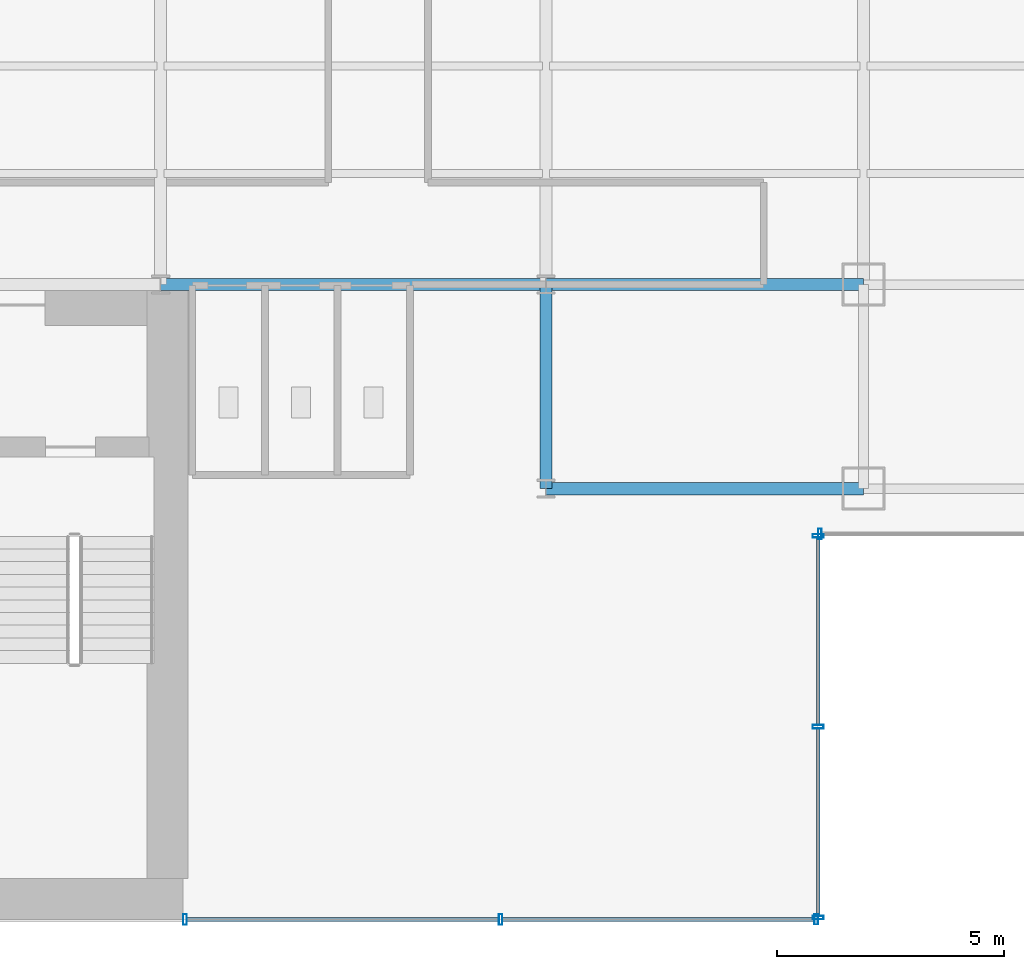
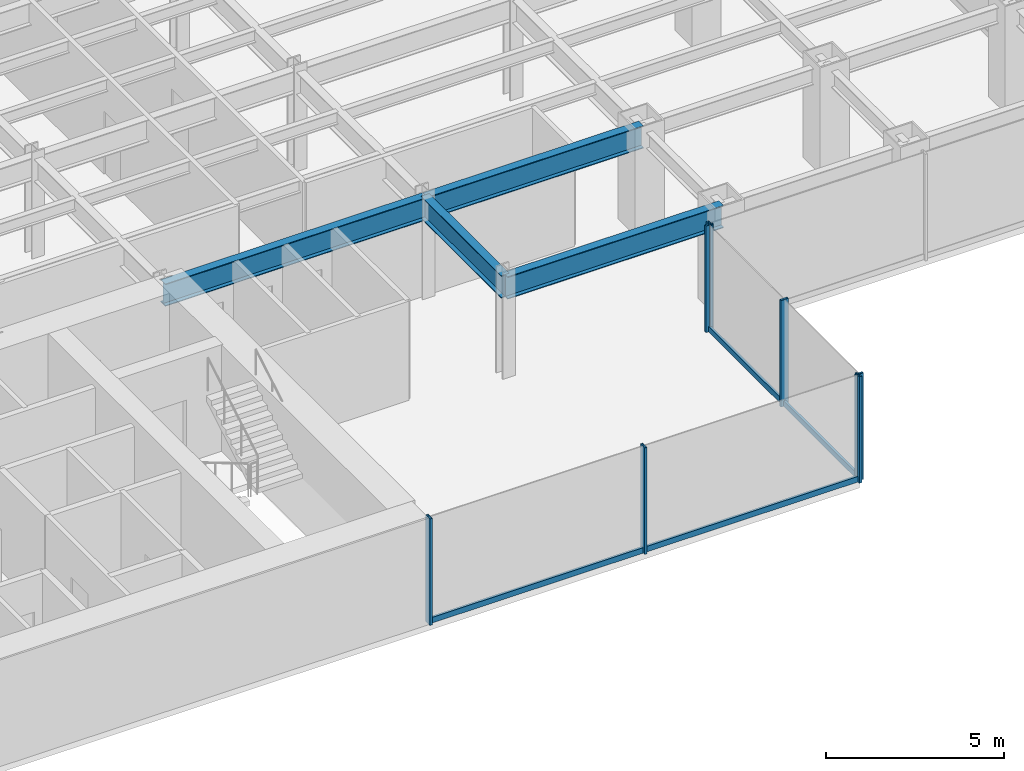
# One storey, part 6 of 22: 11 members, 4 beams, 3 elements without a shape of their own.
"""IFC4 building model written with IfcOpenShell, lengths in metres."""

from ifc_helpers import new_model, si_unit, derived_unit, direction, frame, origin, origin_2d, place, context, subcontext, project, spatial, hollow_rectangle, i_section, extrude, source, transform, mapped, material, material_profile, profile_set, type_object, element, aggregate, save


model = new_model("IFC4")

# Units and contexts
model_context = context("Model", 3, precision=1e-05, world=origin(), true_north=direction((0.0, 1.0)))
body_context = subcontext(model_context, "Body", "Model", "MODEL_VIEW")
ifc_project = project(units=[si_unit("LENGTHUNIT", "METRE"), si_unit("AREAUNIT", "SQUARE_METRE"), si_unit("VOLUMEUNIT", "CUBIC_METRE"), si_unit("PLANEANGLEUNIT", "RADIAN"), si_unit("MASSUNIT", "GRAM", prefix="KILO"), derived_unit("THERMALTRANSMITTANCEUNIT", [(si_unit("POWERUNIT", "WATT"), 1), (si_unit("LENGTHUNIT", "METRE"), -2), (si_unit("THERMODYNAMICTEMPERATUREUNIT", "KELVIN"), -1)])], contexts=[model_context])

# Site, building, storey
site_placement = place(None, origin())
site = spatial("IfcSite", under=ifc_project, at=site_placement, CompositionType="ELEMENT")
building_placement = place(site_placement, origin())
building = spatial("IfcBuilding", under=site, at=building_placement, Name="Skarnbrae Concourse Arena and Tower", CompositionType="ELEMENT")
storey_placement = place(building_placement, frame((0.0, 0.0, 65.35009765625)))
storey = spatial("IfcBuildingStorey", under=building, at=storey_placement, Name="L15", CompositionType="ELEMENT", Elevation=65.35009765625)

# Beams
ifc_material_1 = material(Name="Steel CSA G40.21 350W", Category="steel")
ifc_material_profile_1 = material_profile(ifc_material_1, i_section(OverallWidth=0.26806640625, OverallDepth=0.77001953125, WebThickness=0.015625, FlangeThickness=0.025390625, at=origin_2d()), Name="W760X196")
ifc_profile_set_1 = profile_set([ifc_material_profile_1], Name="Steel CSA G40.21 350W")
beam_type = type_object("IfcBeamType", Name="BM-GIRD-W760X196", PredefinedType="BEAM", material=ifc_profile_set_1)
shared_shape_1 = source(origin(), body_context, "Body", "SweptSolid", [
    extrude(i_section(OverallWidth=0.26806640625, OverallDepth=0.77001953125, WebThickness=0.015625, FlangeThickness=0.025390625, at=origin_2d()), origin(), (0.0, 0.0, 1.0), 7.0),
])
for number, where, z_axis, x_axis, name in (
    (1, (42.0, 9.5, 3.014892578125), (1.0, 0.0, 0.0), (0.0, 1.0, 0.0), "L15 Primary E-W girder Y9.5-2"),
    (2, (42.0, 14.0, 3.014892578125), (1.0, 0.0, 0.0), (0.0, 1.0, 0.0), "L15 Primary E-W girder Y14.0-7"),
):
    element("IfcBeam", number, at=place(storey_placement, frame(where, z_axis=z_axis, x_axis=x_axis)), inside=storey, type_object=beam_type, Name=name, PredefinedType="BEAM", context=body_context, shape_type="MappedRepresentation", body=[
        mapped(shared_shape_1, transform((0.0, 0.0, 0.0))),
    ])
shared_shape_2 = source(origin(), body_context, "Body", "SweptSolid", [
    extrude(i_section(OverallWidth=0.26806640625, OverallDepth=0.77001953125, WebThickness=0.015625, FlangeThickness=0.025390625, at=origin_2d()), origin(), (0.0, 0.0, 1.0), 8.5),
])
beam_1_placement = place(storey_placement, frame((33.5, 14.0, 3.014892578125), z_axis=(1.0, 0.0, 0.0), x_axis=(0.0, 1.0, 0.0)))
element("IfcBeam", 3, at=beam_1_placement, inside=storey, type_object=beam_type, Name="L15 Primary E-W girder Y14.0-6", PredefinedType="BEAM", context=body_context, shape_type="MappedRepresentation", body=[
    mapped(shared_shape_2, transform((0.0, 0.0, 0.0))),
])
shared_shape_3 = source(origin(), body_context, "Body", "SweptSolid", [
    extrude(i_section(OverallWidth=0.26806640625, OverallDepth=0.77001953125, WebThickness=0.015625, FlangeThickness=0.025390625, at=origin_2d()), origin(), (0.0, 0.0, 1.0), 4.5),
])
beam_2_placement = place(storey_placement, frame((42.0, 9.5, 3.014892578125), z_axis=(0.0, 1.0, 0.0), x_axis=(-1.0, 0.0, 0.0)))
element("IfcBeam", 4, at=beam_2_placement, inside=storey, type_object=beam_type, Name="L15 Primary N-S girder X42.0-1", PredefinedType="BEAM", context=body_context, shape_type="MappedRepresentation", body=[
    mapped(shared_shape_3, transform((0.0, 0.0, 0.0))),
])

# Curtain wall, members
ifc_material_2 = material(Name="Bronze anodised aluminium 6063-T6", Category="aluminium")
curtain_wall_type = type_object("IfcCurtainWallType", Name="CW-SYS-02-LOWZONE", PredefinedType="USERDEFINED", material=ifc_material_2)
curtain_wall_1_placement = place(storey_placement, origin())
curtain_wall_1 = element("IfcCurtainWall", 5, at=curtain_wall_1_placement, inside=storey, type_object=curtain_wall_type, Name="L15 Unitised curtain wall CW-L15-SE-SPINE", ObjectType="UNITISED CURTAIN WALL", PredefinedType="USERDEFINED")
ifc_material_profile_2 = material_profile(ifc_material_2, hollow_rectangle(XDim=0.080078125, YDim=0.239990234375, WallThickness=0.0048828125, at=origin_2d()), Name="ALU-MULL-80X240")
ifc_profile_set_2 = profile_set([ifc_material_profile_2], Name="Bronze anodised aluminium 6063-T6")
member_type_1 = type_object("IfcMemberType", Name="CWM-CW-02", PredefinedType="MULLION", material=ifc_profile_set_2)
shared_shape_4 = source(origin(), body_context, "Body", "SweptSolid", [
    extrude(hollow_rectangle(XDim=0.080078125, YDim=0.239990234375, WallThickness=0.0048828125, at=origin_2d()), origin(), (0.0, 0.0, 1.0), 3.64990234375),
])
member_1_placement = place(storey_placement, frame((34.0400390625, 0.0, 0.0), z_axis=(0.0, 0.0, 1.0), x_axis=(1.0, 0.0, 0.0)))
member_1 = element("IfcMember", 6, at=member_1_placement, type_object=member_type_1, Name="CW-L15-SE-SPINE Mullion 1", PredefinedType="MULLION", context=body_context, shape_type="MappedRepresentation", body=[
    mapped(shared_shape_4, transform((0.0, 0.0, 0.0))),
])
member_2_placement = place(storey_placement, frame((41.0, 0.0, 0.0), z_axis=(0.0, 0.0, 1.0), x_axis=(1.0, 0.0, 0.0)))
member_2 = element("IfcMember", 7, at=member_2_placement, type_object=member_type_1, Name="CW-L15-SE-SPINE Mullion 2", PredefinedType="MULLION", context=body_context, shape_type="MappedRepresentation", body=[
    mapped(shared_shape_4, transform((0.0, 0.0, 0.0))),
])
member_3_placement = place(storey_placement, frame((47.9599609375, 0.0, 0.0), z_axis=(0.0, 0.0, 1.0), x_axis=(1.0, 0.0, 0.0)))
member_3 = element("IfcMember", 8, at=member_3_placement, type_object=member_type_1, Name="CW-L15-SE-SPINE Mullion 3", PredefinedType="MULLION", context=body_context, shape_type="MappedRepresentation", body=[
    mapped(shared_shape_4, transform((0.0, 0.0, 0.0))),
])

curtain_wall_2_placement = place(storey_placement, origin())
curtain_wall_2 = element("IfcCurtainWall", 9, at=curtain_wall_2_placement, inside=storey, type_object=curtain_wall_type, Name="L15 Unitised curtain wall CW-L15-E02", ObjectType="UNITISED CURTAIN WALL", PredefinedType="USERDEFINED")
member_4_placement = place(storey_placement, frame((48.0, 0.0400390625, 0.0), z_axis=(0.0, 0.0, 1.0), x_axis=(0.0, 1.0, 0.0)))
member_4 = element("IfcMember", 10, at=member_4_placement, type_object=member_type_1, Name="CW-L15-E02 Mullion 1", PredefinedType="MULLION", context=body_context, shape_type="MappedRepresentation", body=[
    mapped(shared_shape_4, transform((0.0, 0.0, 0.0))),
])
member_5_placement = place(storey_placement, frame((48.0, 4.25, 0.0), z_axis=(0.0, 0.0, 1.0), x_axis=(0.0, 1.0, 0.0)))
member_5 = element("IfcMember", 11, at=member_5_placement, type_object=member_type_1, Name="CW-L15-E02 Mullion 2", PredefinedType="MULLION", context=body_context, shape_type="MappedRepresentation", body=[
    mapped(shared_shape_4, transform((0.0, 0.0, 0.0))),
])
member_6_placement = place(storey_placement, frame((48.0, 8.4599609375, 0.0), z_axis=(0.0, 0.0, 1.0), x_axis=(0.0, 1.0, 0.0)))
member_6 = element("IfcMember", 12, at=member_6_placement, type_object=member_type_1, Name="CW-L15-E02 Mullion 3", PredefinedType="MULLION", context=body_context, shape_type="MappedRepresentation", body=[
    mapped(shared_shape_4, transform((0.0, 0.0, 0.0))),
])

# Curtain wall, member
curtain_wall_3_placement = place(storey_placement, origin())
curtain_wall_3 = element("IfcCurtainWall", 13, at=curtain_wall_3_placement, inside=storey, type_object=curtain_wall_type, Name="L15 Unitised curtain wall CW-L15-E03", ObjectType="UNITISED CURTAIN WALL", PredefinedType="USERDEFINED")
member_7_placement = place(storey_placement, frame((48.0400390625, 8.5, 0.0), z_axis=(0.0, 0.0, 1.0), x_axis=(1.0, 0.0, 0.0)))
member_7 = element("IfcMember", 14, at=member_7_placement, type_object=member_type_1, Name="CW-L15-E03 Mullion 1", PredefinedType="MULLION", context=body_context, shape_type="MappedRepresentation", body=[
    mapped(shared_shape_4, transform((0.0, 0.0, 0.0))),
])
aggregate(curtain_wall_3, [member_7])

# Member
ifc_material_profile_3 = material_profile(ifc_material_2, hollow_rectangle(XDim=0.080078125, YDim=0.18994140625, WallThickness=0.0048828125, at=origin_2d()), Name="ALU-TRAN-80X190")
ifc_profile_set_3 = profile_set([ifc_material_profile_3], Name="Bronze anodised aluminium 6063-T6")
member_type_2 = type_object("IfcMemberType", Name="CWT-CW-02", PredefinedType="USERDEFINED", material=ifc_profile_set_3)
shared_shape_5 = source(origin(), body_context, "Body", "SweptSolid", [
    extrude(hollow_rectangle(XDim=0.080078125, YDim=0.18994140625, WallThickness=0.0048828125, at=origin_2d()), origin(), (0.0, 0.0, 1.0), 6.8798828125),
])
member_8_placement = place(storey_placement, frame((34.080078125, 0.0, 0.094970703125), z_axis=(1.0, 0.0, 0.0), x_axis=(0.0, 1.0, 0.0)))
member_8 = element("IfcMember", 15, at=member_8_placement, type_object=member_type_2, Name="CW-L15-SE-SPINE Transom 1", ObjectType="TRANSOM", PredefinedType="USERDEFINED", context=body_context, shape_type="MappedRepresentation", body=[
    mapped(shared_shape_5, transform((0.0, 0.0, 0.0))),
])

member_9_placement = place(storey_placement, frame((41.0400390625, 0.0, 0.094970703125), z_axis=(1.0, 0.0, 0.0), x_axis=(0.0, 1.0, 0.0)))
member_9 = element("IfcMember", 16, at=member_9_placement, type_object=member_type_2, Name="CW-L15-SE-SPINE Transom 2", ObjectType="TRANSOM", PredefinedType="USERDEFINED", context=body_context, shape_type="MappedRepresentation", body=[
    mapped(shared_shape_5, transform((0.0, 0.0, 0.0))),
])

aggregate(curtain_wall_1, [member_1, member_2, member_3, member_8, member_9])

shared_shape_6 = source(origin(), body_context, "Body", "SweptSolid", [
    extrude(hollow_rectangle(XDim=0.080078125, YDim=0.18994140625, WallThickness=0.0048828125, at=origin_2d()), origin(), (0.0, 0.0, 1.0), 4.1298828125),
])
member_10_placement = place(storey_placement, frame((48.0, 0.080078125, 0.094970703125), z_axis=(0.0, 1.0, 0.0), x_axis=(-1.0, 0.0, 0.0)))
member_10 = element("IfcMember", 17, at=member_10_placement, type_object=member_type_2, Name="CW-L15-E02 Transom 1", ObjectType="TRANSOM", PredefinedType="USERDEFINED", context=body_context, shape_type="MappedRepresentation", body=[
    mapped(shared_shape_6, transform((0.0, 0.0, 0.0))),
])

member_11_placement = place(storey_placement, frame((48.0, 4.2900390625, 0.094970703125), z_axis=(0.0, 1.0, 0.0), x_axis=(-1.0, 0.0, 0.0)))
member_11 = element("IfcMember", 18, at=member_11_placement, type_object=member_type_2, Name="CW-L15-E02 Transom 2", ObjectType="TRANSOM", PredefinedType="USERDEFINED", context=body_context, shape_type="MappedRepresentation", body=[
    mapped(shared_shape_6, transform((0.0, 0.0, 0.0))),
])

aggregate(curtain_wall_2, [member_4, member_5, member_6, member_10, member_11])

save(model, "model.ifc")
